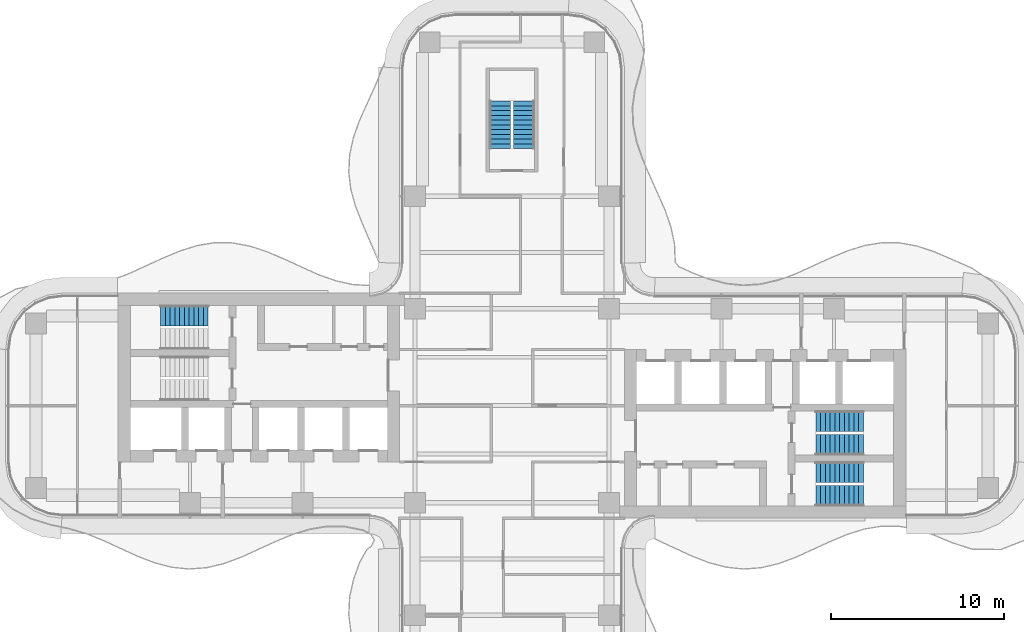
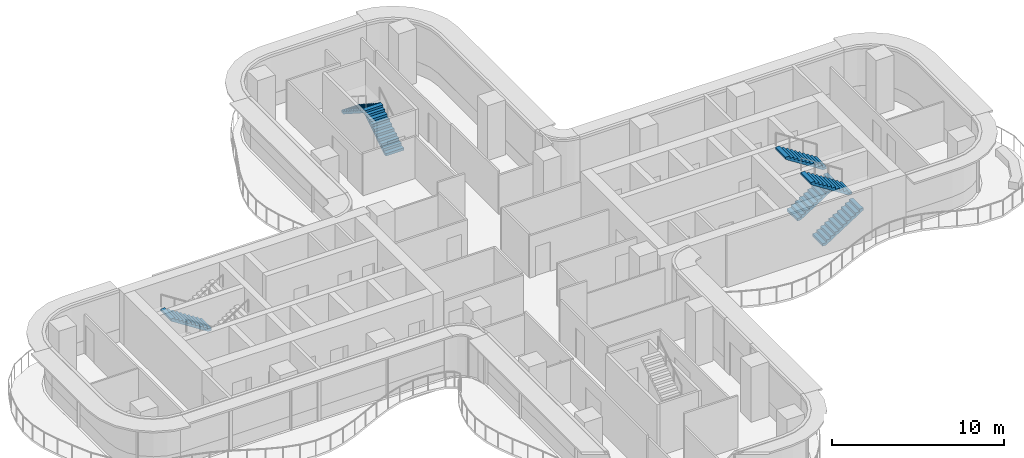
# One storey, part 16 of 18: 7 stair flights, 4 elements without a shape of their own.
"""IFC4 building model written with IfcOpenShell, lengths in metres."""

from ifc_helpers import new_model, si_unit, direction, frame, origin, place, context, subcontext, project, spatial, polyline, outline, extrude, source, transform, mapped, material, type_object, element, aggregate, save


model = new_model("IFC4")

# Units and contexts
model_context = context("Model", 3, precision=1e-05, world=origin(), true_north=direction((0.0, 1.0)))
body_context = subcontext(model_context, "Body", "Model", "MODEL_VIEW")
ifc_project = project(units=[si_unit("LENGTHUNIT", "METRE"), si_unit("AREAUNIT", "SQUARE_METRE"), si_unit("VOLUMEUNIT", "CUBIC_METRE"), si_unit("PLANEANGLEUNIT", "RADIAN"), si_unit("MASSUNIT", "GRAM", prefix="KILO")], contexts=[model_context])

# Site, building, storey
site_placement = place(None, origin())
site = spatial("IfcSite", under=ifc_project, at=site_placement, CompositionType="ELEMENT")
building_placement = place(site_placement, origin())
building = spatial("IfcBuilding", under=site, at=building_placement, Name="Trellis Farm Tower", CompositionType="ELEMENT")
storey_placement = place(building_placement, frame((0.0, 0.0, 193.199951171875)))
storey = spatial("IfcBuildingStorey", under=building, at=storey_placement, Name="L42", CompositionType="ELEMENT", Elevation=193.199951171875)

# Stair, stair flights
ifc_material = material(Name="Concrete C50/60", Category="concrete")
stair_type = type_object("IfcStairType", Name="CORE EXIT STAIR 22 RISERS 177 MM", PredefinedType="HALF_TURN_STAIR", material=ifc_material)
placement = place(storey_placement, origin())
stair_1 = element("IfcStair", 1, at=placement, inside=storey, type_object=stair_type, Name="Exit stair N", PredefinedType="HALF_TURN_STAIR")
stair_flight_type = type_object("IfcStairFlightType", Name="STAIR FLIGHT 11 RISERS 177 MM", PredefinedType="STRAIGHT", material=ifc_material)
shared_shape = source(origin(), body_context, "Body", "SweptSolid", [
    extrude(outline(polyline([(0.0, 0.0), (0.0, 0.17724609375), (0.27490234375, 0.17724609375), (0.27490234375, 0.3544921875), (0.550048828125, 0.3544921875), (0.550048828125, 0.53173828125), (0.824951171875, 0.53173828125), (0.824951171875, 0.708984375), (1.10009765625, 0.708984375), (1.10009765625, 0.886474609375), (1.375, 0.886474609375), (1.375, 1.063720703125), (1.64990234375, 1.063720703125), (1.64990234375, 1.240966796875), (1.925048828125, 1.240966796875), (1.925048828125, 1.418212890625), (2.199951171875, 1.418212890625), (2.199951171875, 1.595458984375), (2.47509765625, 1.595458984375), (2.47509765625, 1.772705078125), (2.75, 1.772705078125), (2.75, 1.949951171875), (2.75, 1.6181640625), (0.23974609375, 0.0), (0.0, 0.0)])), frame((0.0, 0.60009765625, 0.0), z_axis=(0.0, -1.0, 0.0), x_axis=(1.0, 0.0, 0.0)), (0.0, 0.0, 1.0), 1.199951171875),
])
stair_flight_1_placement = place(storey_placement, frame((0.699951171875, 14.85009765625, 0.0), z_axis=(0.0, 0.0, 1.0), x_axis=(0.0, 1.0, 0.0)))
stair_flight_1 = element("IfcStairFlight", 2, at=stair_flight_1_placement, type_object=stair_flight_type, Name="STN flight 1", NumberOfRisers=11, NumberOfTreads=10, PredefinedType="STRAIGHT", RiserHeight=0.177272727, TreadLength=0.275, context=body_context, shape_type="MappedRepresentation", body=[
    mapped(shared_shape, transform((0.0, 0.0, 0.0))),
])
stair_flight_2_placement = place(storey_placement, frame((-0.699951171875, 17.60009765625, 1.949951171875), z_axis=(0.0, 0.0, 1.0), x_axis=(0.0, -1.0, 0.0)))
stair_flight_2 = element("IfcStairFlight", 3, at=stair_flight_2_placement, type_object=stair_flight_type, Name="STN flight 2", NumberOfRisers=11, NumberOfTreads=10, PredefinedType="STRAIGHT", RiserHeight=0.177272727, TreadLength=0.275, context=body_context, shape_type="MappedRepresentation", body=[
    mapped(shared_shape, transform((0.0, 0.0, 0.0))),
])
aggregate(stair_1, [stair_flight_1, stair_flight_2])

stair_2 = element("IfcStair", 4, at=placement, inside=storey, type_object=stair_type, Name="Exit stair E1", PredefinedType="HALF_TURN_STAIR")
stair_flight_3_placement = place(storey_placement, frame((17.550048828125, -5.199951171875, 0.0), z_axis=(0.0, 0.0, 1.0), x_axis=(1.0, 0.0, 0.0)))
stair_flight_3 = element("IfcStairFlight", 5, at=stair_flight_3_placement, type_object=stair_flight_type, Name="STE1 flight 1", NumberOfRisers=11, NumberOfTreads=10, PredefinedType="STRAIGHT", RiserHeight=0.177272727, TreadLength=0.275, context=body_context, shape_type="MappedRepresentation", body=[
    mapped(shared_shape, transform((0.0, 0.0, 0.0))),
])
stair_flight_4_placement = place(storey_placement, frame((20.300048828125, -3.85009765625, 1.949951171875), z_axis=(0.0, 0.0, 1.0), x_axis=(-1.0, 0.0, 0.0)))
stair_flight_4 = element("IfcStairFlight", 6, at=stair_flight_4_placement, type_object=stair_flight_type, Name="STE1 flight 2", NumberOfRisers=11, NumberOfTreads=10, PredefinedType="STRAIGHT", RiserHeight=0.177272727, TreadLength=0.275, context=body_context, shape_type="MappedRepresentation", body=[
    mapped(shared_shape, transform((0.0, 0.0, 0.0))),
])
aggregate(stair_2, [stair_flight_3, stair_flight_4])

stair_3 = element("IfcStair", 7, at=placement, inside=storey, type_object=stair_type, Name="Exit stair E2", PredefinedType="HALF_TURN_STAIR")
stair_flight_5_placement = place(storey_placement, frame((17.550048828125, -2.25, 0.0), z_axis=(0.0, 0.0, 1.0), x_axis=(1.0, 0.0, 0.0)))
stair_flight_5 = element("IfcStairFlight", 8, at=stair_flight_5_placement, type_object=stair_flight_type, Name="STE2 flight 1", NumberOfRisers=11, NumberOfTreads=10, PredefinedType="STRAIGHT", RiserHeight=0.177272727, TreadLength=0.275, context=body_context, shape_type="MappedRepresentation", body=[
    mapped(shared_shape, transform((0.0, 0.0, 0.0))),
])
stair_flight_6_placement = place(storey_placement, frame((20.300048828125, -0.89990234375, 1.949951171875), z_axis=(0.0, 0.0, 1.0), x_axis=(-1.0, 0.0, 0.0)))
stair_flight_6 = element("IfcStairFlight", 9, at=stair_flight_6_placement, type_object=stair_flight_type, Name="STE2 flight 2", NumberOfRisers=11, NumberOfTreads=10, PredefinedType="STRAIGHT", RiserHeight=0.177272727, TreadLength=0.275, context=body_context, shape_type="MappedRepresentation", body=[
    mapped(shared_shape, transform((0.0, 0.0, 0.0))),
])
aggregate(stair_3, [stair_flight_5, stair_flight_6])

# Stair, stair flight
stair_4 = element("IfcStair", 10, at=placement, inside=storey, type_object=stair_type, Name="Exit stair W1", PredefinedType="HALF_TURN_STAIR")
stair_flight_7_placement = place(storey_placement, frame((-17.550048828125, 5.199951171875, 0.0), z_axis=(0.0, 0.0, 1.0), x_axis=(-1.0, 0.0, 0.0)))
stair_flight_7 = element("IfcStairFlight", 11, at=stair_flight_7_placement, type_object=stair_flight_type, Name="STW1 flight 1", NumberOfRisers=11, NumberOfTreads=10, PredefinedType="STRAIGHT", RiserHeight=0.177272727, TreadLength=0.275, context=body_context, shape_type="MappedRepresentation", body=[
    mapped(shared_shape, transform((0.0, 0.0, 0.0))),
])
aggregate(stair_4, [stair_flight_7])

save(model, "model.ifc")
